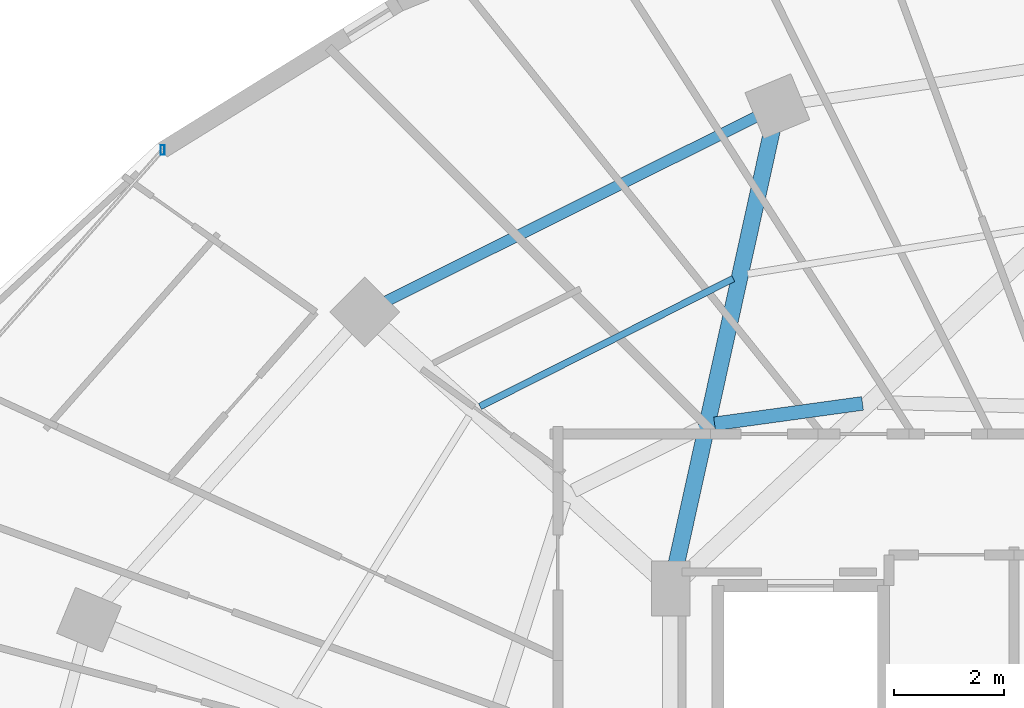
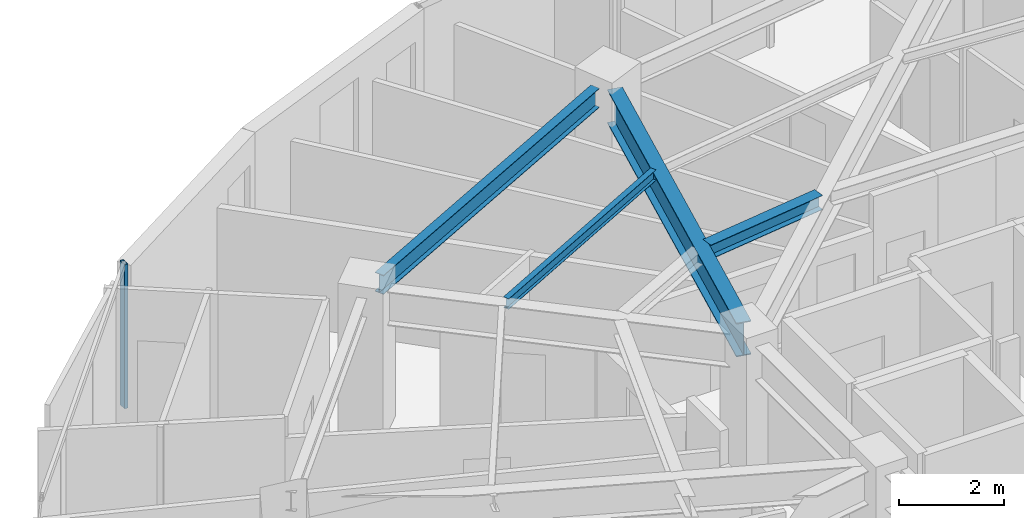
# One storey, part 17 of 33: 4 beams, 1 member, 1 element without a shape of its own.
"""IFC4 building model written with IfcOpenShell, lengths in metres."""

from ifc_helpers import new_model, si_unit, direction, frame, origin, origin_2d, place, context, subcontext, project, spatial, hollow_rectangle, i_section, extrude, material, material_profile, profile_set, type_object, element, aggregate, save


model = new_model("IFC4")

# Units and contexts
model_context = context("Model", 3, precision=1e-05, world=origin(), true_north=direction((0.0, 1.0)))
body_context = subcontext(model_context, "Body", "Model", "MODEL_VIEW")
ifc_project = project(units=[si_unit("LENGTHUNIT", "METRE"), si_unit("AREAUNIT", "SQUARE_METRE"), si_unit("VOLUMEUNIT", "CUBIC_METRE"), si_unit("PLANEANGLEUNIT", "RADIAN"), si_unit("MASSUNIT", "GRAM", prefix="KILO")], contexts=[model_context])

# Site, building, storey
site_placement = place(None, origin())
site = spatial("IfcSite", under=ifc_project, at=site_placement, CompositionType="ELEMENT")
building_placement = place(site_placement, origin())
building = spatial("IfcBuilding", under=site, at=building_placement, Name="Vorneva Point Tower", CompositionType="ELEMENT")
storey_placement = place(building_placement, frame((0.0, 0.0, 203.64990234375)))
storey = spatial("IfcBuildingStorey", under=building, at=storey_placement, Name="L55", CompositionType="ELEMENT", Elevation=203.64990234375)

# Beams
ifc_material_1 = material(Name="Steel S355", Category="steel")
ifc_material_profile_1 = material_profile(ifc_material_1, i_section(OverallWidth=0.300048828125, OverallDepth=0.7880859375, WebThickness=0.014404296875, FlangeThickness=0.02197265625, at=origin_2d()), Name="80Sh1")
ifc_profile_set_1 = profile_set([ifc_material_profile_1], Name="Steel S355")
beam_type_1 = type_object("IfcBeamType", Name="BM-GRD-80Sh1", PredefinedType="USERDEFINED", material=ifc_profile_set_1)
beam_1_placement = place(storey_placement, frame((29.084716796875, 41.462890625, 2.89599609375), z_axis=(-0.215522758292, -0.976498817541, 0.0), x_axis=(0.976498817541, -0.215522758292, 0.0)))
element("IfcBeam", 1, at=beam_1_placement, inside=storey, type_object=beam_type_1, Name="L55 Radial Primary Girder 06", ObjectType="GIRDER", PredefinedType="USERDEFINED", context=body_context, shape_type="SweptSolid", body=[
    extrude(i_section(OverallWidth=0.300048828125, OverallDepth=0.7880859375, WebThickness=0.014404296875, FlangeThickness=0.02197265625, at=origin_2d()), origin(), (0.0, 0.0, 1.0), 8.173095703125),
])
ifc_material_profile_2 = material_profile(ifc_material_1, i_section(OverallWidth=0.1240234375, OverallDepth=0.248046875, WebThickness=0.0048828125, FlangeThickness=0.008056640625, at=origin_2d()), Name="25B1")
ifc_profile_set_2 = profile_set([ifc_material_profile_2], Name="Steel S355")
beam_type_2 = type_object("IfcBeamType", Name="BM-JST-25B1", PredefinedType="JOIST", material=ifc_profile_set_2)
beam_2_placement = place(storey_placement, frame((28.38037109375, 38.76708984375, 3.166015625), z_axis=(-0.892634985647, -0.450780192997, 0.0), x_axis=(0.450780192997, -0.892634985647, 0.0)))
element("IfcBeam", 2, at=beam_2_placement, inside=storey, type_object=beam_type_2, Name="L55 Secondary Floor Beam 1.06", PredefinedType="JOIST", context=body_context, shape_type="SweptSolid", body=[
    extrude(i_section(OverallWidth=0.1240234375, OverallDepth=0.248046875, WebThickness=0.0048828125, FlangeThickness=0.008056640625, at=origin_2d()), origin(), (0.0, 0.0, 1.0), 5.142333984375),
])
ifc_material_profile_3 = material_profile(ifc_material_1, i_section(OverallWidth=0.2490234375, OverallDepth=0.333984375, WebThickness=0.008056640625, FlangeThickness=0.010986328125, at=origin_2d()), Name="35Sh1")
ifc_profile_set_3 = profile_set([ifc_material_profile_3], Name="Steel S355")
beam_type_3 = type_object("IfcBeamType", Name="BM-SEC-35Sh1", PredefinedType="BEAM", material=ifc_profile_set_3)
beam_3_placement = place(storey_placement, frame((30.7216796875, 36.50439453125, 3.123046875), z_axis=(-0.990613125996, -0.136695408132, 0.0), x_axis=(0.136695408132, -0.990613125996, 0.0)))
element("IfcBeam", 3, at=beam_3_placement, inside=storey, type_object=beam_type_3, Name="L55 Secondary Floor Beam 2.05", PredefinedType="BEAM", context=body_context, shape_type="SweptSolid", body=[
    extrude(i_section(OverallWidth=0.2490234375, OverallDepth=0.333984375, WebThickness=0.008056640625, FlangeThickness=0.010986328125, at=origin_2d()), origin(), (0.0, 0.0, 1.0), 2.705810546875),
])
ifc_material_profile_4 = material_profile(ifc_material_1, i_section(OverallWidth=0.198974609375, OverallDepth=0.446044921875, WebThickness=0.008056640625, FlangeThickness=0.011962890625, at=origin_2d()), Name="45B1")
ifc_profile_set_4 = profile_set([ifc_material_profile_4], Name="Steel S355")
beam_type_4 = type_object("IfcBeamType", Name="BM-SPN-45B1", PredefinedType="SPANDREL", material=ifc_profile_set_4)
beam_4_placement = place(storey_placement, frame((28.789794921875, 41.696533203125, 3.067138671875), z_axis=(-0.894922371084, -0.446221861559, 0.0), x_axis=(0.446221861559, -0.894922371084, 0.0)))
element("IfcBeam", 4, at=beam_4_placement, inside=storey, type_object=beam_type_4, Name="L55 Perimeter Spandrel Ring Beam 06", PredefinedType="SPANDREL", context=body_context, shape_type="SweptSolid", body=[
    extrude(i_section(OverallWidth=0.198974609375, OverallDepth=0.446044921875, WebThickness=0.008056640625, FlangeThickness=0.011962890625, at=origin_2d()), origin(), (0.0, 0.0, 1.0), 7.48583984375),
])

# Curtain wall, member
ifc_material_2 = material(Name="Pale anodised aluminium", Category="aluminium")
curtain_wall_type = type_object("IfcCurtainWallType", Name="CW-RES-SYS", PredefinedType="NOTDEFINED", material=ifc_material_2)
curtain_wall_placement = place(storey_placement, origin())
curtain_wall = element("IfcCurtainWall", 5, at=curtain_wall_placement, inside=storey, type_object=curtain_wall_type, Name="L55 Unitised Curtain Wall CW-L55-R02", PredefinedType="NOTDEFINED")
ifc_material_profile_5 = material_profile(ifc_material_2, hollow_rectangle(XDim=0.074951171875, YDim=0.179931640625, WallThickness=0.00390625, at=origin_2d()), Name="AL-MUL 180x75x4")
ifc_profile_set_5 = profile_set([ifc_material_profile_5], Name="Pale anodised aluminium")
member_type = type_object("IfcMemberType", Name="CW-MUL-180", PredefinedType="MULLION", material=ifc_profile_set_5)
member_placement = place(storey_placement, frame((18.038330078125, 41.0966796875, -0.039794921875), z_axis=(0.0, 0.0, 1.0), x_axis=(1.0, 0.0, 0.0)))
member = element("IfcMember", 6, at=member_placement, type_object=member_type, Name="CW-L55-R02 Mullion 01", PredefinedType="MULLION", context=body_context, shape_type="SweptSolid", body=[
    extrude(hollow_rectangle(XDim=0.074951171875, YDim=0.179931640625, WallThickness=0.00390625, at=origin_2d()), origin(), (0.0, 0.0, 1.0), 3.35986328125),
])
aggregate(curtain_wall, [member])

save(model, "model.ifc")
